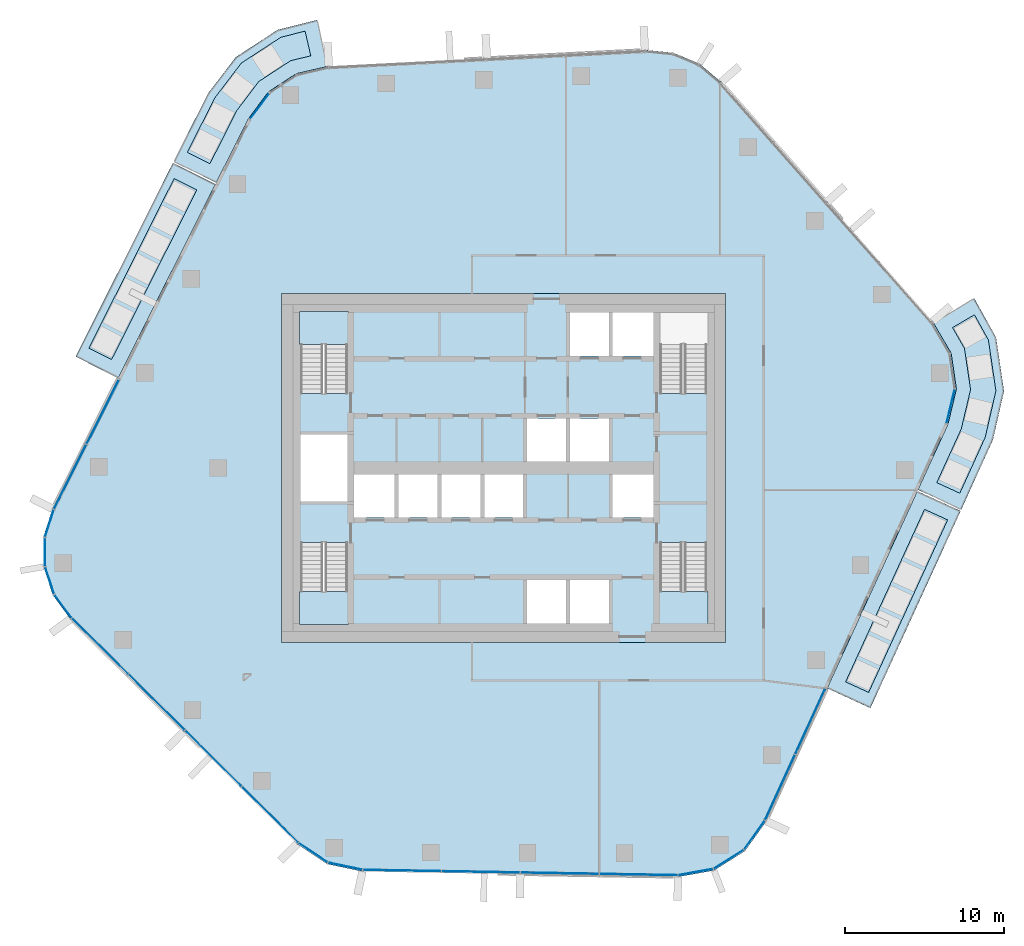
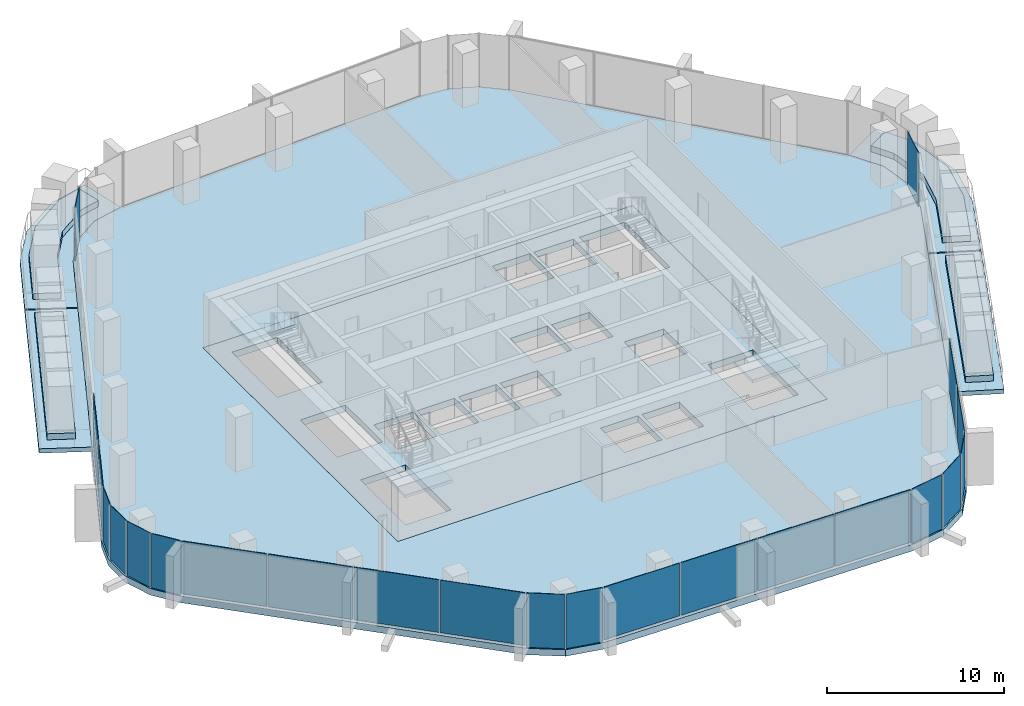
# One storey, part 9 of 21: 23 plates, 13 slabs, 12 elements without a shape of their own.
"""IFC4 building model written with IfcOpenShell, lengths in metres."""

from ifc_helpers import new_model, si_unit, direction, frame, origin, origin_2d, place, context, subcontext, project, spatial, polyline, rectangle, outline, extrude, material, layer, layer_set, type_object, element, aggregate, save


model = new_model("IFC4")

# Units and contexts
model_context = context("Model", 3, precision=1e-05, world=origin(), true_north=direction((0.0, 1.0)))
body_context = subcontext(model_context, "Body", "Model", "MODEL_VIEW")
ifc_project = project(units=[si_unit("LENGTHUNIT", "METRE"), si_unit("AREAUNIT", "SQUARE_METRE"), si_unit("VOLUMEUNIT", "CUBIC_METRE"), si_unit("PLANEANGLEUNIT", "RADIAN"), si_unit("MASSUNIT", "GRAM", prefix="KILO")], contexts=[model_context])

# Site, building, storey
site_placement = place(None, origin())
site = spatial("IfcSite", under=ifc_project, at=site_placement, CompositionType="ELEMENT")
building_placement = place(site_placement, origin())
building = spatial("IfcBuilding", under=site, at=building_placement, Name="Dongbaek Canopy Tower", CompositionType="ELEMENT")
storey_placement = place(building_placement, frame((0.0, 0.0, 232.800048828125)))
storey = spatial("IfcBuildingStorey", under=building, at=storey_placement, Name="L48", CompositionType="ELEMENT", Elevation=232.800048828125)

# Slabs
ifc_material_1 = material(Name="Concrete C40/50", Category="concrete")
ifc_layer_1 = layer(ifc_material_1, 0.300048828125)
ifc_layer_set_1 = layer_set([ifc_layer_1], Name="Balcony slab 300")
slab_type_1 = type_object("IfcSlabType", Name="Balcony slab 300", PredefinedType="FLOOR", material=ifc_layer_set_1)
slab_1_placement = place(storey_placement, frame((0.0, 0.0, -0.300048828125)))
element("IfcSlab", 1, at=slab_1_placement, inside=storey, type_object=slab_type_1, Name="Balcony L48 1", PredefinedType="FLOOR", context=body_context, shape_type="SweptSolid", body=[
    extrude(outline(polyline([(-18.175537109375, 17.891357421875), (-24.31298828125, 5.674560546875), (-26.99365234375, 7.021240234375), (-20.8564453125, 19.238037109375), (-18.175537109375, 17.891357421875)])), origin(), (0.0, 0.0, 1.0), 0.300048828125),
])
slab_2_placement = place(storey_placement, frame((0.0, 0.0, -0.300048828125)))
element("IfcSlab", 2, at=slab_2_placement, inside=storey, type_object=slab_type_1, Name="Balcony L48 4", PredefinedType="FLOOR", context=body_context, shape_type="SweptSolid", body=[
    extrude(outline(polyline([(-11.086669921875, 25.325439453125), (-13.08154296875, 24.864990234375), (-14.837890625, 23.71875), (-16.092529296875, 22.0380859375), (-18.130615234375, 17.980712890625), (-20.8115234375, 19.327392578125), (-18.644775390625, 23.61474609375), (-16.891357421875, 25.90576171875), (-14.2568359375, 27.625244140625), (-11.761474609375, 28.24853515625), (-11.086669921875, 25.325439453125)])), origin(), (0.0, 0.0, 1.0), 0.300048828125),
])
slab_3_placement = place(storey_placement, frame((0.0, 0.0, -0.300048828125)))
element("IfcSlab", 3, at=slab_3_placement, inside=storey, type_object=slab_type_1, Name="Balcony L48 2", PredefinedType="FLOOR", context=body_context, shape_type="SweptSolid", body=[
    extrude(outline(polyline([(20.395263671875, -13.88818359375), (26.081298828125, -1.462890625), (28.80908203125, -2.711181640625), (23.123291015625, -15.136474609375), (20.395263671875, -13.88818359375)])), origin(), (0.0, 0.0, 1.0), 0.300048828125),
])
slab_4_placement = place(storey_placement, frame((0.0, 0.0, -0.300048828125)))
element("IfcSlab", 4, at=slab_4_placement, inside=storey, type_object=slab_type_1, Name="Balcony L48 3", PredefinedType="FLOOR", context=body_context, shape_type="SweptSolid", body=[
    extrude(outline(polyline([(26.122802734375, -1.3720703125), (28.01123046875, 2.754638671875), (28.54931640625, 4.980712890625), (28.2138671875, 7.246337890625), (27.07958984375, 9.177978515625), (29.66650390625, 10.697021484375), (31.043212890625, 8.24365234375), (31.546142578125, 4.845458984375), (30.84619140625, 1.773681640625), (28.850830078125, -2.620361328125), (26.122802734375, -1.3720703125)])), origin(), (0.0, 0.0, 1.0), 0.300048828125),
])

# Curtain wall, plate
ifc_material_2 = material(Name="Aluminium 6063-T6 pale anodised", Category="aluminium")
ifc_layer_2 = layer(ifc_material_2, 0.199951171875)
ifc_layer_set_2 = layer_set([ifc_layer_2], Name="CW-1 unitised tower curtain wall")
curtain_wall_type = type_object("IfcCurtainWallType", Name="CW-1 unitised tower curtain wall", PredefinedType="NOTDEFINED", material=ifc_layer_set_2)
curtain_wall_1_placement = place(storey_placement, origin())
curtain_wall_1 = element("IfcCurtainWall", 5, at=curtain_wall_1_placement, inside=storey, type_object=curtain_wall_type, Name="CW-1 curtain wall K0.1", PredefinedType="NOTDEFINED")
ifc_material_3 = material(Name="Clear laminated glass", Category="glass")
ifc_layer_3 = layer(ifc_material_3, 0.028076171875)
ifc_layer_set_3 = layer_set([ifc_layer_3], Name="CW-1 glazed panel 28")
plate_type = type_object("IfcPlateType", Name="CW-1 glazed panel 28", PredefinedType="CURTAIN_PANEL", material=ifc_layer_set_3)
plate_1_placement = place(storey_placement, frame((28.181884765625, 3.886474609375, 0.0), z_axis=(0.0, 0.0, 1.0), x_axis=(0.23492321999, 0.972013930306, 0.0)))
plate_1 = element("IfcPlate", 6, at=plate_1_placement, type_object=plate_type, Name="CW-1 panel K0.1.1.1", PredefinedType="CURTAIN_PANEL", context=body_context, shape_type="SweptSolid", body=[
    extrude(rectangle(XDim=2.177001953125, YDim=0.028076171875, at=origin_2d()), origin(), (0.0, 0.0, 1.0), 3.75),
])
aggregate(curtain_wall_1, [plate_1])

curtain_wall_2_placement = place(storey_placement, origin())
curtain_wall_2 = element("IfcCurtainWall", 7, at=curtain_wall_2_placement, inside=storey, type_object=curtain_wall_type, Name="CW-1 curtain wall K2.1b", PredefinedType="NOTDEFINED")
plate_2_placement = place(storey_placement, frame((-15.3876953125, 22.81494140625, 0.0), z_axis=(0.0, 0.0, 1.0), x_axis=(-0.598174039914, -0.801366219635, 0.0)))
plate_2 = element("IfcPlate", 8, at=plate_2_placement, type_object=plate_type, Name="CW-1 panel K2.1b.2.1", PredefinedType="CURTAIN_PANEL", context=body_context, shape_type="SweptSolid", body=[
    extrude(rectangle(XDim=1.98681640625, YDim=0.028076171875, at=origin_2d()), origin(), (0.0, 0.0, 1.0), 3.75),
])
aggregate(curtain_wall_2, [plate_2])

# Curtain wall, plates
curtain_wall_3_placement = place(storey_placement, origin())
curtain_wall_3 = element("IfcCurtainWall", 9, at=curtain_wall_3_placement, inside=storey, type_object=curtain_wall_type, Name="CW-1 curtain wall F2.1", PredefinedType="NOTDEFINED")
plate_3_placement = place(storey_placement, frame((-25.276611328125, 3.533935546875, 0.1201171875), z_axis=(0.0, 0.0, 1.0), x_axis=(-0.448909169704, -0.893577393042, 0.0)))
plate_3 = element("IfcPlate", 10, at=plate_3_placement, type_object=plate_type, Name="CW-1 panel F2.1.1.1", PredefinedType="CURTAIN_PANEL", context=body_context, shape_type="SweptSolid", body=[
    extrude(rectangle(XDim=4.506591796875, YDim=0.028076171875, at=origin_2d()), origin(), (0.0, 0.0, 1.0), 3.6298828125),
])
plate_4_placement = place(storey_placement, frame((-27.33544921875, -0.564697265625, 0.1201171875), z_axis=(0.0, 0.0, 1.0), x_axis=(-0.448909169704, -0.893577393042, 0.0)))
plate_4 = element("IfcPlate", 11, at=plate_4_placement, type_object=plate_type, Name="CW-1 panel F2.1.2.1", PredefinedType="CURTAIN_PANEL", context=body_context, shape_type="SweptSolid", body=[
    extrude(rectangle(XDim=4.498779296875, YDim=0.028076171875, at=origin_2d()), origin(), (0.0, 0.0, 1.0), 3.6298828125),
])
aggregate(curtain_wall_3, [plate_3, plate_4])

curtain_wall_4_placement = place(storey_placement, origin())
curtain_wall_4 = element("IfcCurtainWall", 12, at=curtain_wall_4_placement, inside=storey, type_object=curtain_wall_type, Name="CW-1 curtain wall K3.1", PredefinedType="NOTDEFINED")
plate_5_placement = place(storey_placement, frame((-28.645263671875, -3.494140625, 0.0), z_axis=(0.0, 0.0, 1.0), x_axis=(-0.303758507222, -0.952749058929, 0.0)))
plate_5 = element("IfcPlate", 13, at=plate_5_placement, type_object=plate_type, Name="CW-1 panel K3.1.1.1", PredefinedType="CURTAIN_PANEL", context=body_context, shape_type="SweptSolid", body=[
    extrude(rectangle(XDim=1.767578125, YDim=0.028076171875, at=origin_2d()), origin(), (0.0, 0.0, 1.0), 3.75),
])
plate_6_placement = place(storey_placement, frame((-28.921630859375, -5.298095703125, 0.0), z_axis=(0.0, 0.0, 1.0), x_axis=(0.005183131791, -0.999986567482, 0.0)))
plate_6 = element("IfcPlate", 14, at=plate_6_placement, type_object=plate_type, Name="CW-1 panel K3.1.2.1", PredefinedType="CURTAIN_PANEL", context=body_context, shape_type="SweptSolid", body=[
    extrude(rectangle(XDim=1.759521484375, YDim=0.028076171875, at=origin_2d()), origin(), (0.0, 0.0, 1.0), 3.75),
])
plate_7_placement = place(storey_placement, frame((-28.6279296875, -7.094970703125, 0.0), z_axis=(0.0, 0.0, 1.0), x_axis=(0.313618501572, -0.949549069544, 0.0)))
plate_7 = element("IfcPlate", 15, at=plate_7_placement, type_object=plate_type, Name="CW-1 panel K3.1.3.1", PredefinedType="CURTAIN_PANEL", context=body_context, shape_type="SweptSolid", body=[
    extrude(rectangle(XDim=1.759521484375, YDim=0.028076171875, at=origin_2d()), origin(), (0.0, 0.0, 1.0), 3.75),
])
plate_8_placement = place(storey_placement, frame((-27.791259765625, -8.716796875, 0.0), z_axis=(0.0, 0.0, 1.0), x_axis=(0.591420770683, -0.806363114239, 0.0)))
plate_8 = element("IfcPlate", 16, at=plate_8_placement, type_object=plate_type, Name="CW-1 panel K3.1.4.1", PredefinedType="CURTAIN_PANEL", context=body_context, shape_type="SweptSolid", body=[
    extrude(rectangle(XDim=1.767578125, YDim=0.028076171875, at=origin_2d()), origin(), (0.0, 0.0, 1.0), 3.75),
])
aggregate(curtain_wall_4, [plate_5, plate_6, plate_7, plate_8])

curtain_wall_5_placement = place(storey_placement, origin())
curtain_wall_5 = element("IfcCurtainWall", 17, at=curtain_wall_5_placement, inside=storey, type_object=curtain_wall_type, Name="CW-1 curtain wall F3.1", PredefinedType="NOTDEFINED")
plate_9_placement = place(storey_placement, frame((-25.459228515625, -11.232421875, 0.1201171875), z_axis=(0.0, 0.0, 1.0), x_axis=(0.710162348211, -0.704037952942, 0.0)))
plate_9 = element("IfcPlate", 18, at=plate_9_placement, type_object=plate_type, Name="CW-1 panel F3.1.1.1", PredefinedType="CURTAIN_PANEL", context=body_context, shape_type="SweptSolid", body=[
    extrude(rectangle(XDim=4.941650390625, YDim=0.028076171875, at=origin_2d()), origin(), (0.0, 0.0, 1.0), 3.6298828125),
])
plate_10_placement = place(storey_placement, frame((-21.887451171875, -14.7734375, 0.1201171875), z_axis=(0.0, 0.0, 1.0), x_axis=(0.710162348211, -0.704037952942, 0.0)))
plate_10 = element("IfcPlate", 19, at=plate_10_placement, type_object=plate_type, Name="CW-1 panel F3.1.2.1", PredefinedType="CURTAIN_PANEL", context=body_context, shape_type="SweptSolid", body=[
    extrude(rectangle(XDim=4.949462890625, YDim=0.028076171875, at=origin_2d()), origin(), (0.0, 0.0, 1.0), 3.6298828125),
])
plate_11_placement = place(storey_placement, frame((-18.312744140625, -18.317138671875, 0.1201171875), z_axis=(0.0, 0.0, 1.0), x_axis=(0.710162348211, -0.704037952942, 0.0)))
plate_11 = element("IfcPlate", 20, at=plate_11_placement, type_object=plate_type, Name="CW-1 panel F3.1.3.1", PredefinedType="CURTAIN_PANEL", context=body_context, shape_type="SweptSolid", body=[
    extrude(rectangle(XDim=4.949462890625, YDim=0.028076171875, at=origin_2d()), origin(), (0.0, 0.0, 1.0), 3.6298828125),
])
plate_12_placement = place(storey_placement, frame((-14.74169921875, -21.857666015625, 0.1201171875), z_axis=(0.0, 0.0, 1.0), x_axis=(0.710162348211, -0.704037952942, 0.0)))
plate_12 = element("IfcPlate", 21, at=plate_12_placement, type_object=plate_type, Name="CW-1 panel F3.1.4.1", PredefinedType="CURTAIN_PANEL", context=body_context, shape_type="SweptSolid", body=[
    extrude(rectangle(XDim=4.93994140625, YDim=0.028076171875, at=origin_2d()), origin(), (0.0, 0.0, 1.0), 3.6298828125),
])
aggregate(curtain_wall_5, [plate_9, plate_10, plate_11, plate_12])

curtain_wall_6_placement = place(storey_placement, origin())
curtain_wall_6 = element("IfcCurtainWall", 22, at=curtain_wall_6_placement, inside=storey, type_object=curtain_wall_type, Name="CW-1 curtain wall K4.1", PredefinedType="NOTDEFINED")
plate_13_placement = place(storey_placement, frame((-12.023193359375, -24.251953125, 0.0), z_axis=(0.0, 0.0, 1.0), x_axis=(0.830913331139, -0.556401865683, 0.0)))
plate_13 = element("IfcPlate", 23, at=plate_13_placement, type_object=plate_type, Name="CW-1 panel K4.1.1.1", PredefinedType="CURTAIN_PANEL", context=body_context, shape_type="SweptSolid", body=[
    extrude(rectangle(XDim=2.165283203125, YDim=0.028076171875, at=origin_2d()), origin(), (0.0, 0.0, 1.0), 3.75),
])
plate_14_placement = place(storey_placement, frame((-9.98828125, -25.110107421875, 0.0), z_axis=(0.0, 0.0, 1.0), x_axis=(0.978443325131, -0.206515518802, 0.0)))
plate_14 = element("IfcPlate", 24, at=plate_14_placement, type_object=plate_type, Name="CW-1 panel K4.1.2.1", PredefinedType="CURTAIN_PANEL", context=body_context, shape_type="SweptSolid", body=[
    extrude(rectangle(XDim=2.165283203125, YDim=0.028076171875, at=origin_2d()), origin(), (0.0, 0.0, 1.0), 3.75),
])
aggregate(curtain_wall_6, [plate_13, plate_14])

curtain_wall_7_placement = place(storey_placement, origin())
curtain_wall_7 = element("IfcCurtainWall", 25, at=curtain_wall_7_placement, inside=storey, type_object=curtain_wall_type, Name="CW-1 curtain wall F4.1", PredefinedType="NOTDEFINED")
plate_15_placement = place(storey_placement, frame((-6.4052734375, -25.384521484375, 0.1201171875), z_axis=(0.0, 0.0, 1.0), x_axis=(0.999855606006, -0.016993149743, 0.0)))
plate_15 = element("IfcPlate", 26, at=plate_15_placement, type_object=plate_type, Name="CW-1 panel F4.1.1.1", PredefinedType="CURTAIN_PANEL", context=body_context, shape_type="SweptSolid", body=[
    extrude(rectangle(XDim=4.88134765625, YDim=0.028076171875, at=origin_2d()), origin(), (0.0, 0.0, 1.0), 3.6298828125),
])
plate_16_placement = place(storey_placement, frame((-1.435791015625, -25.468994140625, 0.1201171875), z_axis=(0.0, 0.0, 1.0), x_axis=(0.999855606006, -0.016993149743, 0.0)))
plate_16 = element("IfcPlate", 27, at=plate_16_placement, type_object=plate_type, Name="CW-1 panel F4.1.2.1", PredefinedType="CURTAIN_PANEL", context=body_context, shape_type="SweptSolid", body=[
    extrude(rectangle(XDim=4.89111328125, YDim=0.028076171875, at=origin_2d()), origin(), (0.0, 0.0, 1.0), 3.6298828125),
])
plate_17_placement = place(storey_placement, frame((3.538330078125, -25.553466796875, 0.1201171875), z_axis=(0.0, 0.0, 1.0), x_axis=(0.999855606006, -0.016993149743, 0.0)))
plate_17 = element("IfcPlate", 28, at=plate_17_placement, type_object=plate_type, Name="CW-1 panel F4.1.3.1", PredefinedType="CURTAIN_PANEL", context=body_context, shape_type="SweptSolid", body=[
    extrude(rectangle(XDim=4.89111328125, YDim=0.028076171875, at=origin_2d()), origin(), (0.0, 0.0, 1.0), 3.6298828125),
])
plate_18_placement = place(storey_placement, frame((8.5078125, -25.637939453125, 0.1201171875), z_axis=(0.0, 0.0, 1.0), x_axis=(0.999855606006, -0.016993149743, 0.0)))
plate_18 = element("IfcPlate", 29, at=plate_18_placement, type_object=plate_type, Name="CW-1 panel F4.1.4.1", PredefinedType="CURTAIN_PANEL", context=body_context, shape_type="SweptSolid", body=[
    extrude(rectangle(XDim=4.88134765625, YDim=0.028076171875, at=origin_2d()), origin(), (0.0, 0.0, 1.0), 3.6298828125),
])
aggregate(curtain_wall_7, [plate_15, plate_16, plate_17, plate_18])

curtain_wall_8_placement = place(storey_placement, origin())
curtain_wall_8 = element("IfcCurtainWall", 30, at=curtain_wall_8_placement, inside=storey, type_object=curtain_wall_type, Name="CW-1 curtain wall K5.1", PredefinedType="NOTDEFINED")
plate_19_placement = place(storey_placement, frame((12.109375, -25.48095703125, 0.0), z_axis=(0.0, 0.0, 1.0), x_axis=(0.984532656924, 0.17520116281, 0.0)))
plate_19 = element("IfcPlate", 31, at=plate_19_placement, type_object=plate_type, Name="CW-1 panel K5.1.1.1", PredefinedType="CURTAIN_PANEL", context=body_context, shape_type="SweptSolid", body=[
    extrude(rectangle(XDim=2.189697265625, YDim=0.028076171875, at=origin_2d()), origin(), (0.0, 0.0, 1.0), 3.75),
])
plate_20_placement = place(storey_placement, frame((14.186279296875, -24.67822265625, 0.0), z_axis=(0.0, 0.0, 1.0), x_axis=(0.846021440639, 0.533148874123, 0.0)))
plate_20 = element("IfcPlate", 32, at=plate_20_placement, type_object=plate_type, Name="CW-1 panel K5.1.2.1", PredefinedType="CURTAIN_PANEL", context=body_context, shape_type="SweptSolid", body=[
    extrude(rectangle(XDim=2.1796875, YDim=0.028076171875, at=origin_2d()), origin(), (0.0, 0.0, 1.0), 3.75),
])
plate_21_placement = place(storey_placement, frame((15.806396484375, -23.151123046875, 0.0), z_axis=(0.0, 0.0, 1.0), x_axis=(0.582881180681, 0.812557400562, 0.0)))
plate_21 = element("IfcPlate", 33, at=plate_21_placement, type_object=plate_type, Name="CW-1 panel K5.1.3.1", PredefinedType="CURTAIN_PANEL", context=body_context, shape_type="SweptSolid", body=[
    extrude(rectangle(XDim=2.189697265625, YDim=0.028076171875, at=origin_2d()), origin(), (0.0, 0.0, 1.0), 3.75),
])
aggregate(curtain_wall_8, [plate_19, plate_20, plate_21])

curtain_wall_9_placement = place(storey_placement, origin())
curtain_wall_9 = element("IfcCurtainWall", 34, at=curtain_wall_9_placement, inside=storey, type_object=curtain_wall_type, Name="CW-1 curtain wall F5.1", PredefinedType="NOTDEFINED")
plate_22_placement = place(storey_placement, frame((17.421630859375, -20.145751953125, 0.1201171875), z_axis=(0.0, 0.0, 1.0), x_axis=(0.416112546196, 0.909313119282, 0.0)))
plate_22 = element("IfcPlate", 35, at=plate_22_placement, type_object=plate_type, Name="CW-1 panel F5.1.1.1", PredefinedType="CURTAIN_PANEL", context=body_context, shape_type="SweptSolid", body=[
    extrude(rectangle(XDim=4.494384765625, YDim=0.028076171875, at=origin_2d()), origin(), (0.0, 0.0, 1.0), 3.6298828125),
])
plate_23_placement = place(storey_placement, frame((19.328857421875, -15.97802734375, 0.1201171875), z_axis=(0.0, 0.0, 1.0), x_axis=(0.416112546196, 0.909313119282, 0.0)))
plate_23 = element("IfcPlate", 36, at=plate_23_placement, type_object=plate_type, Name="CW-1 panel F5.1.2.1", PredefinedType="CURTAIN_PANEL", context=body_context, shape_type="SweptSolid", body=[
    extrude(rectangle(XDim=4.504150390625, YDim=0.028076171875, at=origin_2d()), origin(), (0.0, 0.0, 1.0), 3.6298828125),
])
aggregate(curtain_wall_9, [plate_22, plate_23])

# Slab
ifc_material_4 = material(Name="Concrete C40/50", Category="concrete")
ifc_layer_4 = layer(ifc_material_4, 0.449951171875)
ifc_layer_set_4 = layer_set([ifc_layer_4], Name="Core floor slab 450 Concrete C40/50")
slab_type_2 = type_object("IfcSlabType", Name="Core floor slab 450 Concrete C40/50", PredefinedType="FLOOR", material=ifc_layer_set_4)
slab_5_placement = place(storey_placement, frame((0.0, 0.0, -0.449951171875)))
element("IfcSlab", 37, at=slab_5_placement, inside=storey, type_object=slab_type_2, Name="Core floor slab L48", PredefinedType="FLOOR", context=body_context, shape_type="SweptSolid", body=[
    extrude(outline(polyline([(14.0, -11.0), (14.0, 11.0), (-14.0, 11.0), (-14.0, -11.0), (14.0, -11.0)]), holes=[polyline([(-12.800048828125, 2.10009765625), (-9.85009765625, 2.10009765625), (-9.85009765625, -2.10009765625), (-12.800048828125, -2.10009765625), (-12.800048828125, 2.10009765625)]), polyline([(6.625, 9.800048828125), (6.625, 7.074951171875), (4.175048828125, 7.074951171875), (4.175048828125, 9.800048828125), (6.625, 9.800048828125)]), polyline([(9.449951171875, 7.074951171875), (6.875, 7.074951171875), (6.875, 9.800048828125), (9.449951171875, 9.800048828125), (9.449951171875, 7.074951171875)]), polyline([(3.925048828125, 3.125), (3.925048828125, 0.39990234375), (1.47509765625, 0.39990234375), (1.47509765625, 3.125), (3.925048828125, 3.125)]), polyline([(4.175048828125, 3.125), (6.625, 3.125), (6.625, 0.39990234375), (4.175048828125, 0.39990234375), (4.175048828125, 3.125)]), polyline([(-9.449951171875, -0.39990234375), (-6.875, -0.39990234375), (-6.875, -3.125), (-9.449951171875, -3.125), (-9.449951171875, -0.39990234375)]), polyline([(-6.625, -0.39990234375), (-4.175048828125, -0.39990234375), (-4.175048828125, -3.125), (-6.625, -3.125), (-6.625, -0.39990234375)]), polyline([(-3.925048828125, -0.39990234375), (-1.47509765625, -0.39990234375), (-1.47509765625, -3.125), (-3.925048828125, -3.125), (-3.925048828125, -0.39990234375)]), polyline([(-1.22509765625, -0.39990234375), (1.22509765625, -0.39990234375), (1.22509765625, -3.125), (-1.22509765625, -3.125), (-1.22509765625, -0.39990234375)]), polyline([(9.449951171875, -3.125), (6.875, -3.125), (6.875, -0.39990234375), (9.449951171875, -0.39990234375), (9.449951171875, -3.125)]), polyline([(1.47509765625, -9.800048828125), (1.47509765625, -7.074951171875), (3.925048828125, -7.074951171875), (3.925048828125, -9.800048828125), (1.47509765625, -9.800048828125)]), polyline([(4.175048828125, -9.800048828125), (4.175048828125, -7.074951171875), (6.625, -7.074951171875), (6.625, -9.800048828125), (4.175048828125, -9.800048828125)]), polyline([(12.800048828125, 4.70068359375), (12.800048828125, 9.800048828125), (9.85009765625, 9.800048828125), (9.85009765625, 4.70068359375), (12.800048828125, 4.70068359375)]), polyline([(-9.85009765625, 4.70068359375), (-9.85009765625, 9.800048828125), (-12.800048828125, 9.800048828125), (-12.800048828125, 4.70068359375), (-9.85009765625, 4.70068359375)]), polyline([(9.85009765625, -4.70068359375), (9.85009765625, -9.800048828125), (12.800048828125, -9.800048828125), (12.800048828125, -4.70068359375), (9.85009765625, -4.70068359375)]), polyline([(-12.800048828125, -4.70068359375), (-12.800048828125, -9.800048828125), (-9.85009765625, -9.800048828125), (-9.85009765625, -4.70068359375), (-12.800048828125, -4.70068359375)])]), origin(), (0.0, 0.0, 1.0), 0.449951171875),
])

# Stair, slab
ifc_material_5 = material(Name="Concrete C40/50", Category="concrete")
stair_type = type_object("IfcStairType", Name="Core exit stair", PredefinedType="HALF_TURN_STAIR", material=ifc_material_5)
stair_1_placement = place(storey_placement, origin())
stair_1 = element("IfcStair", 38, at=stair_1_placement, inside=storey, type_object=stair_type, Name="L48 exit stair C", PredefinedType="HALF_TURN_STAIR")
ifc_material_6 = material(Name="Concrete C40/50", Category="concrete")
ifc_layer_5 = layer(ifc_material_6, 0.199951171875)
ifc_layer_set_5 = layer_set([ifc_layer_5], Name="Core stair landing 200")
slab_type_3 = type_object("IfcSlabType", Name="Core stair landing 200", PredefinedType="LANDING", material=ifc_layer_set_5)
slab_6_placement = place(storey_placement, frame((0.0, 0.0, 1.89990234375)))
slab_6 = element("IfcSlab", 39, at=slab_6_placement, type_object=slab_type_3, Name="ST-C landing 1", PredefinedType="LANDING", context=body_context, shape_type="SweptSolid", body=[
    extrude(outline(polyline([(-9.77490234375, 7.780029296875), (-9.77490234375, 9.875), (-12.875, 9.875), (-12.875, 7.780029296875), (-9.77490234375, 7.780029296875)])), origin(), (0.0, 0.0, 1.0), 0.199951171875),
])
aggregate(stair_1, [slab_6])

stair_2_placement = place(storey_placement, origin())
stair_2 = element("IfcStair", 40, at=stair_2_placement, inside=storey, type_object=stair_type, Name="L48 exit stair B", PredefinedType="HALF_TURN_STAIR")
slab_7_placement = place(storey_placement, frame((0.0, 0.0, 1.89990234375)))
slab_7 = element("IfcSlab", 41, at=slab_7_placement, type_object=slab_type_3, Name="ST-B landing 1", PredefinedType="LANDING", context=body_context, shape_type="SweptSolid", body=[
    extrude(outline(polyline([(9.77490234375, -7.780029296875), (9.77490234375, -9.875), (12.875, -9.875), (12.875, -7.780029296875), (9.77490234375, -7.780029296875)])), origin(), (0.0, 0.0, 1.0), 0.199951171875),
])
aggregate(stair_2, [slab_7])

stair_3_placement = place(storey_placement, origin())
stair_3 = element("IfcStair", 42, at=stair_3_placement, inside=storey, type_object=stair_type, Name="L48 exit stair D", PredefinedType="HALF_TURN_STAIR")
slab_8_placement = place(storey_placement, frame((0.0, 0.0, 1.89990234375)))
slab_8 = element("IfcSlab", 43, at=slab_8_placement, type_object=slab_type_3, Name="ST-D landing 1", PredefinedType="LANDING", context=body_context, shape_type="SweptSolid", body=[
    extrude(outline(polyline([(-12.875, -7.780029296875), (-12.875, -9.875), (-9.77490234375, -9.875), (-9.77490234375, -7.780029296875), (-12.875, -7.780029296875)])), origin(), (0.0, 0.0, 1.0), 0.199951171875),
])
aggregate(stair_3, [slab_8])

# Slabs
ifc_material_7 = material(Name="Concrete C40", Category="concrete")
ifc_layer_6 = layer(ifc_material_7, 0.449951171875)
ifc_layer_set_6 = layer_set([ifc_layer_6], Name="RC FLAT PLATE 450 Concrete C40")
slab_type_4 = type_object("IfcSlabType", Name="RC FLAT PLATE 450 Concrete C40", PredefinedType="FLOOR", material=ifc_layer_set_6)
slab_9_placement = place(storey_placement, frame((0.0, 0.0, -0.449951171875)))
element("IfcSlab", 44, at=slab_9_placement, inside=storey, type_object=slab_type_4, Name="SLAB:L48", PredefinedType="FLOOR", context=body_context, shape_type="SweptSolid", body=[
    extrude(outline(polyline([(16.555908203125, -22.27783203125), (15.213623046875, -24.14892578125), (13.265380859375, -25.376708984375), (10.998291015625, -25.7802734375), (-8.89892578125, -25.442138671875), (-11.128173828125, -24.9716796875), (-13.021240234375, -23.703857421875), (-27.31982421875, -9.52880859375), (-28.4287109375, -8.0166015625), (-29.016845703125, -6.236083984375), (-29.026611328125, -4.36083984375), (-28.45703125, -2.57421875), (-16.09228515625, 22.0380859375), (-14.837890625, 23.71875), (-13.08154296875, 24.864990234375), (-11.0380859375, 25.336669921875), (8.910888671875, 26.35888671875), (10.693359375, 26.1826171875), (12.344482421875, 25.48779296875), (13.716796875, 24.33642578125), (27.05419921875, 9.22119140625), (28.214111328125, 7.246337890625), (28.54931640625, 4.980712890625), (28.01123046875, 2.754638671875), (16.555908203125, -22.27783203125)]), holes=[polyline([(14.0, 11.0), (-14.0, 11.0), (-14.0, -11.0), (14.0, -11.0), (14.0, 11.0)])]), origin(), (0.0, 0.0, 1.0), 0.449951171875),
])
ifc_material_8 = material(Name="Reinforced concrete C40/50 planter box with soil", Category="concrete")
ifc_layer_7 = layer(ifc_material_8, 0.419921875)
ifc_layer_set_7 = layer_set([ifc_layer_7], Name="Terrace planter box 1600 x 420")
slab_type_5 = type_object("IfcSlabType", Name="Terrace planter box 1600 x 420", PredefinedType="USERDEFINED", material=ifc_layer_set_7)
slab_10_placement = place(storey_placement, origin())
element("IfcSlab", 45, at=slab_10_placement, inside=storey, type_object=slab_type_5, Name="Balcony planter L48 1", ObjectType="PLANTER", PredefinedType="USERDEFINED", context=body_context, shape_type="SweptSolid", body=[
    extrude(outline(polyline([(-19.3525390625, 17.53125), (-24.726806640625, 6.83349609375), (-26.156494140625, 7.5517578125), (-20.7822265625, 18.24951171875), (-19.3525390625, 17.53125)])), origin(), (0.0, 0.0, 1.0), 0.419921875),
])
slab_11_placement = place(storey_placement, origin())
element("IfcSlab", 46, at=slab_11_placement, inside=storey, type_object=slab_type_5, Name="Balcony planter L48 4", ObjectType="PLANTER", PredefinedType="USERDEFINED", context=body_context, shape_type="SweptSolid", body=[
    extrude(outline(polyline([(-12.163818359375, 25.990234375), (-13.43017578125, 25.683837890625), (-15.447021484375, 24.367431640625), (-16.849609375, 22.505859375), (-18.52197265625, 19.184326171875), (-19.95166015625, 19.902587890625), (-18.210693359375, 23.3466796875), (-16.542236328125, 25.533935546875), (-14.05712890625, 27.156005859375), (-12.523681640625, 27.54931640625), (-12.163818359375, 25.990234375)])), origin(), (0.0, 0.0, 1.0), 0.419921875),
])
slab_12_placement = place(storey_placement, origin())
element("IfcSlab", 47, at=slab_12_placement, inside=storey, type_object=slab_type_5, Name="Balcony planter L48 2", ObjectType="PLANTER", PredefinedType="USERDEFINED", context=body_context, shape_type="SweptSolid", body=[
    extrude(outline(polyline([(21.55810546875, -13.485595703125), (26.536865234375, -2.606201171875), (27.99169921875, -3.27197265625), (23.01318359375, -14.1513671875), (21.55810546875, -13.485595703125)])), origin(), (0.0, 0.0, 1.0), 0.419921875),
])
slab_13_placement = place(storey_placement, origin())
element("IfcSlab", 48, at=slab_13_placement, inside=storey, type_object=slab_type_5, Name="Balcony planter L48 3", ObjectType="PLANTER", PredefinedType="USERDEFINED", context=body_context, shape_type="SweptSolid", body=[
    extrude(outline(polyline([(27.306640625, -0.923828125), (28.852294921875, 2.463623046875), (29.438232421875, 4.940673828125), (29.05322265625, 7.542236328125), (28.302734375, 8.8525390625), (29.6826171875, 9.662841796875), (30.562255859375, 8.07421875), (31.03662109375, 4.868408203125), (30.3642578125, 1.9404296875), (28.761474609375, -1.589599609375), (27.306640625, -0.923828125)])), origin(), (0.0, 0.0, 1.0), 0.419921875),
])

save(model, "model.ifc")
